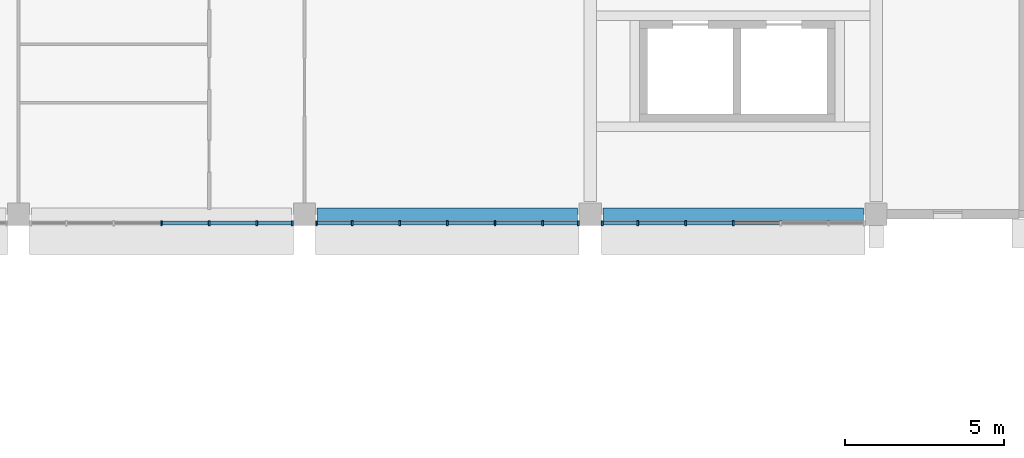
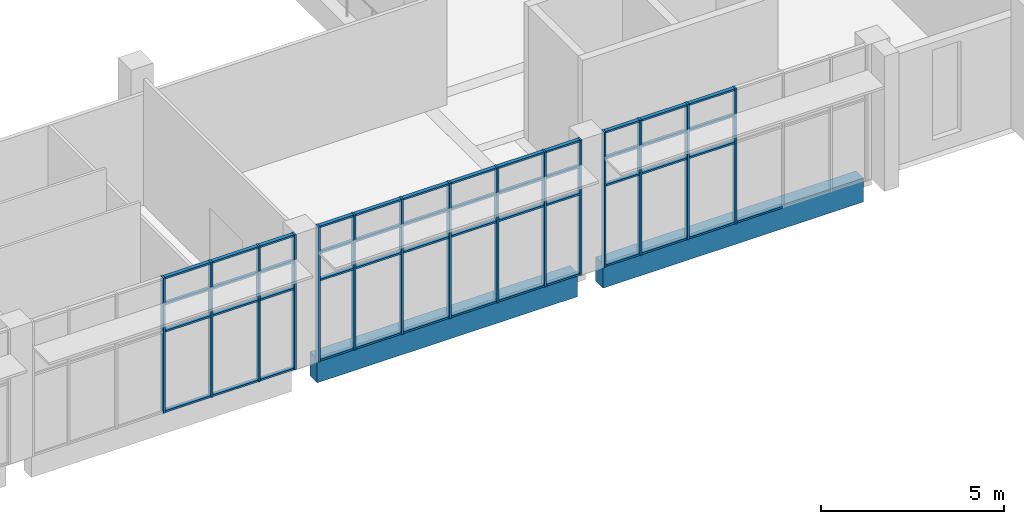
# One storey, part 5 of 45: 64 members, 2 beams, 3 elements without a shape of their own.
"""IFC4 building model written with IfcOpenShell, lengths in metres."""

from ifc_helpers import new_model, si_unit, direction, frame, origin, origin_2d, place, context, subcontext, project, spatial, rectangle, extrude, material, layer, layer_set, material_profile, profile_set, type_object, element, aggregate, save


model = new_model("IFC4")

# Units and contexts
model_context = context("Model", 3, precision=1e-05, world=origin(), true_north=direction((0.0, 1.0)))
body_context = subcontext(model_context, "Body", "Model", "MODEL_VIEW")
ifc_project = project(units=[si_unit("LENGTHUNIT", "METRE"), si_unit("AREAUNIT", "SQUARE_METRE"), si_unit("VOLUMEUNIT", "CUBIC_METRE"), si_unit("PLANEANGLEUNIT", "RADIAN"), si_unit("MASSUNIT", "GRAM", prefix="KILO")], contexts=[model_context])

# Site, building, storey
site_placement = place(None, origin())
site = spatial("IfcSite", under=ifc_project, at=site_placement, CompositionType="ELEMENT")
building_placement = place(site_placement, origin())
building = spatial("IfcBuilding", under=site, at=building_placement, Name="Guidao Yard Department Store", CompositionType="ELEMENT")
storey_placement = place(building_placement, frame((0.0, 0.0, 19.5)))
storey = spatial("IfcBuildingStorey", under=building, at=storey_placement, Name="L04", CompositionType="ELEMENT", Elevation=19.5)

# Curtain wall, members
ifc_material_1 = material(Name="Aluminium and glass", Category="aluminium")
ifc_layer = layer(ifc_material_1, 0.159912109375)
ifc_layer_set = layer_set([ifc_layer], Name="Hall front curtain wall CW2 1500 module")
curtain_wall_type = type_object("IfcCurtainWallType", Name="Hall front curtain wall CW2 1500 module", PredefinedType="NOTDEFINED", material=ifc_layer_set)
curtain_wall_1_placement = place(storey_placement, origin())
curtain_wall_1 = element("IfcCurtainWall", 1, at=curtain_wall_1_placement, inside=storey, type_object=curtain_wall_type, Name="Hall front curtain wall", PredefinedType="NOTDEFINED")
ifc_material_2 = material(Name="Aluminium 6063-T5", Category="aluminium")
ifc_material_profile_1 = material_profile(ifc_material_2, rectangle(XDim=0.06005859375, YDim=0.159912109375, at=origin_2d()), Name="Mullion M1 60 x 160 aluminium pressure plate")
ifc_profile_set_1 = profile_set([ifc_material_profile_1], Name="Aluminium 6063-T5")
member_type_1 = type_object("IfcMemberType", Name="Mullion M1 60 x 160 aluminium pressure plate", PredefinedType="MULLION", material=ifc_profile_set_1)
member_1_placement = place(storey_placement, frame((31.5, 44.719970703125, 0.0), z_axis=(0.0, 0.0, 1.0), x_axis=(-1.0, 0.0, 0.0)))
member_1 = element("IfcMember", 2, at=member_1_placement, type_object=member_type_1, Name="CW-HF-L04-03 mullion 4", PredefinedType="MULLION", context=body_context, shape_type="SweptSolid", body=[
    extrude(rectangle(XDim=0.06005859375, YDim=0.159912109375, at=origin_2d()), origin(), (0.0, 0.0, 1.0), 4.5),
])
member_2_placement = place(storey_placement, frame((33.0, 44.719970703125, 0.0), z_axis=(0.0, 0.0, 1.0), x_axis=(-1.0, 0.0, 0.0)))
member_2 = element("IfcMember", 3, at=member_2_placement, type_object=member_type_1, Name="CW-HF-L04-03 mullion 5", PredefinedType="MULLION", context=body_context, shape_type="SweptSolid", body=[
    extrude(rectangle(XDim=0.06005859375, YDim=0.159912109375, at=origin_2d()), origin(), (0.0, 0.0, 1.0), 4.5),
])
member_3_placement = place(storey_placement, frame((34.5, 44.719970703125, 0.0), z_axis=(0.0, 0.0, 1.0), x_axis=(-1.0, 0.0, 0.0)))
member_3 = element("IfcMember", 4, at=member_3_placement, type_object=member_type_1, Name="CW-HF-L04-03 mullion 6", PredefinedType="MULLION", context=body_context, shape_type="SweptSolid", body=[
    extrude(rectangle(XDim=0.06005859375, YDim=0.159912109375, at=origin_2d()), origin(), (0.0, 0.0, 1.0), 4.5),
])
member_4_placement = place(storey_placement, frame((35.6201171875, 44.719970703125, 0.0), z_axis=(0.0, 0.0, 1.0), x_axis=(-1.0, 0.0, 0.0)))
member_4 = element("IfcMember", 5, at=member_4_placement, type_object=member_type_1, Name="CW-HF-L04-03 mullion 7", PredefinedType="MULLION", context=body_context, shape_type="SweptSolid", body=[
    extrude(rectangle(XDim=0.06005859375, YDim=0.159912109375, at=origin_2d()), origin(), (0.0, 0.0, 1.0), 4.5),
])

curtain_wall_2_placement = place(storey_placement, origin())
curtain_wall_2 = element("IfcCurtainWall", 6, at=curtain_wall_2_placement, inside=storey, type_object=curtain_wall_type, Name="Hall front curtain wall", PredefinedType="NOTDEFINED")
member_5_placement = place(storey_placement, frame((36.3798828125, 44.719970703125, 0.0), z_axis=(0.0, 0.0, 1.0), x_axis=(-1.0, 0.0, 0.0)))
member_5 = element("IfcMember", 7, at=member_5_placement, type_object=member_type_1, Name="CW-HF-L04-04 mullion 1", PredefinedType="MULLION", context=body_context, shape_type="SweptSolid", body=[
    extrude(rectangle(XDim=0.06005859375, YDim=0.159912109375, at=origin_2d()), origin(), (0.0, 0.0, 1.0), 4.5),
])
member_6_placement = place(storey_placement, frame((37.5, 44.719970703125, 0.0), z_axis=(0.0, 0.0, 1.0), x_axis=(-1.0, 0.0, 0.0)))
member_6 = element("IfcMember", 8, at=member_6_placement, type_object=member_type_1, Name="CW-HF-L04-04 mullion 2", PredefinedType="MULLION", context=body_context, shape_type="SweptSolid", body=[
    extrude(rectangle(XDim=0.06005859375, YDim=0.159912109375, at=origin_2d()), origin(), (0.0, 0.0, 1.0), 4.5),
])
member_7_placement = place(storey_placement, frame((39.0, 44.719970703125, 0.0), z_axis=(0.0, 0.0, 1.0), x_axis=(-1.0, 0.0, 0.0)))
member_7 = element("IfcMember", 9, at=member_7_placement, type_object=member_type_1, Name="CW-HF-L04-04 mullion 3", PredefinedType="MULLION", context=body_context, shape_type="SweptSolid", body=[
    extrude(rectangle(XDim=0.06005859375, YDim=0.159912109375, at=origin_2d()), origin(), (0.0, 0.0, 1.0), 4.5),
])
member_8_placement = place(storey_placement, frame((40.5, 44.719970703125, 0.0), z_axis=(0.0, 0.0, 1.0), x_axis=(-1.0, 0.0, 0.0)))
member_8 = element("IfcMember", 10, at=member_8_placement, type_object=member_type_1, Name="CW-HF-L04-04 mullion 4", PredefinedType="MULLION", context=body_context, shape_type="SweptSolid", body=[
    extrude(rectangle(XDim=0.06005859375, YDim=0.159912109375, at=origin_2d()), origin(), (0.0, 0.0, 1.0), 4.5),
])
member_9_placement = place(storey_placement, frame((42.0, 44.719970703125, 0.0), z_axis=(0.0, 0.0, 1.0), x_axis=(-1.0, 0.0, 0.0)))
member_9 = element("IfcMember", 11, at=member_9_placement, type_object=member_type_1, Name="CW-HF-L04-04 mullion 5", PredefinedType="MULLION", context=body_context, shape_type="SweptSolid", body=[
    extrude(rectangle(XDim=0.06005859375, YDim=0.159912109375, at=origin_2d()), origin(), (0.0, 0.0, 1.0), 4.5),
])
member_10_placement = place(storey_placement, frame((43.5, 44.719970703125, 0.0), z_axis=(0.0, 0.0, 1.0), x_axis=(-1.0, 0.0, 0.0)))
member_10 = element("IfcMember", 12, at=member_10_placement, type_object=member_type_1, Name="CW-HF-L04-04 mullion 6", PredefinedType="MULLION", context=body_context, shape_type="SweptSolid", body=[
    extrude(rectangle(XDim=0.06005859375, YDim=0.159912109375, at=origin_2d()), origin(), (0.0, 0.0, 1.0), 4.5),
])
member_11_placement = place(storey_placement, frame((44.6201171875, 44.719970703125, 0.0), z_axis=(0.0, 0.0, 1.0), x_axis=(-1.0, 0.0, 0.0)))
member_11 = element("IfcMember", 13, at=member_11_placement, type_object=member_type_1, Name="CW-HF-L04-04 mullion 7", PredefinedType="MULLION", context=body_context, shape_type="SweptSolid", body=[
    extrude(rectangle(XDim=0.06005859375, YDim=0.159912109375, at=origin_2d()), origin(), (0.0, 0.0, 1.0), 4.5),
])

curtain_wall_3_placement = place(storey_placement, origin())
curtain_wall_3 = element("IfcCurtainWall", 14, at=curtain_wall_3_placement, inside=storey, type_object=curtain_wall_type, Name="Hall front curtain wall", PredefinedType="NOTDEFINED")
member_12_placement = place(storey_placement, frame((45.3798828125, 44.719970703125, 0.0), z_axis=(0.0, 0.0, 1.0), x_axis=(-1.0, 0.0, 0.0)))
member_12 = element("IfcMember", 15, at=member_12_placement, type_object=member_type_1, Name="CW-HF-L04-05 mullion 1", PredefinedType="MULLION", context=body_context, shape_type="SweptSolid", body=[
    extrude(rectangle(XDim=0.06005859375, YDim=0.159912109375, at=origin_2d()), origin(), (0.0, 0.0, 1.0), 4.5),
])
member_13_placement = place(storey_placement, frame((46.5, 44.719970703125, 0.0), z_axis=(0.0, 0.0, 1.0), x_axis=(-1.0, 0.0, 0.0)))
member_13 = element("IfcMember", 16, at=member_13_placement, type_object=member_type_1, Name="CW-HF-L04-05 mullion 2", PredefinedType="MULLION", context=body_context, shape_type="SweptSolid", body=[
    extrude(rectangle(XDim=0.06005859375, YDim=0.159912109375, at=origin_2d()), origin(), (0.0, 0.0, 1.0), 4.5),
])
member_14_placement = place(storey_placement, frame((48.0, 44.719970703125, 0.0), z_axis=(0.0, 0.0, 1.0), x_axis=(-1.0, 0.0, 0.0)))
member_14 = element("IfcMember", 17, at=member_14_placement, type_object=member_type_1, Name="CW-HF-L04-05 mullion 3", PredefinedType="MULLION", context=body_context, shape_type="SweptSolid", body=[
    extrude(rectangle(XDim=0.06005859375, YDim=0.159912109375, at=origin_2d()), origin(), (0.0, 0.0, 1.0), 4.5),
])
member_15_placement = place(storey_placement, frame((49.5, 44.719970703125, 0.0), z_axis=(0.0, 0.0, 1.0), x_axis=(-1.0, 0.0, 0.0)))
member_15 = element("IfcMember", 18, at=member_15_placement, type_object=member_type_1, Name="CW-HF-L04-05 mullion 4", PredefinedType="MULLION", context=body_context, shape_type="SweptSolid", body=[
    extrude(rectangle(XDim=0.06005859375, YDim=0.159912109375, at=origin_2d()), origin(), (0.0, 0.0, 1.0), 4.5),
])

# Beams
ifc_material_3 = material(Name="Concrete C40", Category="concrete")
ifc_material_profile_2 = material_profile(ifc_material_3, rectangle(XDim=0.39990234375, YDim=0.800048828125, at=origin_2d()), Name="Spandrel beam 400 x 800 C40")
ifc_profile_set_2 = profile_set([ifc_material_profile_2], Name="Concrete C40")
beam_type = type_object("IfcBeamType", Name="Spandrel beam 400 x 800 C40", PredefinedType="SPANDREL", material=ifc_profile_set_2)
for number, where, z_axis, x_axis, name in (
    (19, (36.39990234375, 45.0, -0.39990234375), (1.0, 0.0, 0.0), (0.0, 1.0, 0.0), "Beam EB04"),
    (20, (45.39990234375, 45.0, -0.39990234375), (1.0, 0.0, 0.0), (0.0, 1.0, 0.0), "Beam EB05"),
):
    element("IfcBeam", number, at=place(storey_placement, frame(where, z_axis=z_axis, x_axis=x_axis)), inside=storey, type_object=beam_type, Name=name, PredefinedType="SPANDREL", context=body_context, shape_type="SweptSolid", body=[
        extrude(rectangle(XDim=0.39990234375, YDim=0.800048828125, at=origin_2d()), origin(), (0.0, 0.0, 1.0), 8.2001953125),
    ])

# Member
ifc_material_4 = material(Name="Aluminium 6063-T5", Category="aluminium")
ifc_material_profile_3 = material_profile(ifc_material_4, rectangle(XDim=0.1201171875, YDim=0.06005859375, at=origin_2d()), Name="Transom T1 60 x 120 aluminium pressure plate")
ifc_profile_set_3 = profile_set([ifc_material_profile_3], Name="Aluminium 6063-T5")
member_type_2 = type_object("IfcMemberType", Name="Transom T1 60 x 120 aluminium pressure plate", PredefinedType="USERDEFINED", material=ifc_profile_set_3)
member_16_placement = place(storey_placement, frame((32.969970703125, 44.719970703125, 0.030029296875), z_axis=(-1.0, 0.0, 0.0), x_axis=(0.0, -1.0, 0.0)))
member_16 = element("IfcMember", 21, at=member_16_placement, type_object=member_type_2, Name="CW-HF-L04-03 transom 4.1", ObjectType="TRANSOM", PredefinedType="USERDEFINED", context=body_context, shape_type="SweptSolid", body=[
    extrude(rectangle(XDim=0.1201171875, YDim=0.06005859375, at=origin_2d()), origin(), (0.0, 0.0, 1.0), 1.43994140625),
])

member_17_placement = place(storey_placement, frame((32.969970703125, 44.719970703125, 2.699951171875), z_axis=(-1.0, 0.0, 0.0), x_axis=(0.0, -1.0, 0.0)))
member_17 = element("IfcMember", 22, at=member_17_placement, type_object=member_type_2, Name="CW-HF-L04-03 transom 4.2", ObjectType="TRANSOM", PredefinedType="USERDEFINED", context=body_context, shape_type="SweptSolid", body=[
    extrude(rectangle(XDim=0.1201171875, YDim=0.06005859375, at=origin_2d()), origin(), (0.0, 0.0, 1.0), 1.43994140625),
])

member_18_placement = place(storey_placement, frame((32.969970703125, 44.719970703125, 3.60009765625), z_axis=(-1.0, 0.0, 0.0), x_axis=(0.0, -1.0, 0.0)))
member_18 = element("IfcMember", 23, at=member_18_placement, type_object=member_type_2, Name="CW-HF-L04-03 transom 4.3", ObjectType="TRANSOM", PredefinedType="USERDEFINED", context=body_context, shape_type="SweptSolid", body=[
    extrude(rectangle(XDim=0.1201171875, YDim=0.06005859375, at=origin_2d()), origin(), (0.0, 0.0, 1.0), 1.43994140625),
])

member_19_placement = place(storey_placement, frame((32.969970703125, 44.719970703125, 4.469970703125), z_axis=(-1.0, 0.0, 0.0), x_axis=(0.0, -1.0, 0.0)))
member_19 = element("IfcMember", 24, at=member_19_placement, type_object=member_type_2, Name="CW-HF-L04-03 transom 4.4", ObjectType="TRANSOM", PredefinedType="USERDEFINED", context=body_context, shape_type="SweptSolid", body=[
    extrude(rectangle(XDim=0.1201171875, YDim=0.06005859375, at=origin_2d()), origin(), (0.0, 0.0, 1.0), 1.43994140625),
])

member_20_placement = place(storey_placement, frame((34.469970703125, 44.719970703125, 0.030029296875), z_axis=(-1.0, 0.0, 0.0), x_axis=(0.0, -1.0, 0.0)))
member_20 = element("IfcMember", 25, at=member_20_placement, type_object=member_type_2, Name="CW-HF-L04-03 transom 5.1", ObjectType="TRANSOM", PredefinedType="USERDEFINED", context=body_context, shape_type="SweptSolid", body=[
    extrude(rectangle(XDim=0.1201171875, YDim=0.06005859375, at=origin_2d()), origin(), (0.0, 0.0, 1.0), 1.43994140625),
])

member_21_placement = place(storey_placement, frame((34.469970703125, 44.719970703125, 2.699951171875), z_axis=(-1.0, 0.0, 0.0), x_axis=(0.0, -1.0, 0.0)))
member_21 = element("IfcMember", 26, at=member_21_placement, type_object=member_type_2, Name="CW-HF-L04-03 transom 5.2", ObjectType="TRANSOM", PredefinedType="USERDEFINED", context=body_context, shape_type="SweptSolid", body=[
    extrude(rectangle(XDim=0.1201171875, YDim=0.06005859375, at=origin_2d()), origin(), (0.0, 0.0, 1.0), 1.43994140625),
])

member_22_placement = place(storey_placement, frame((34.469970703125, 44.719970703125, 3.60009765625), z_axis=(-1.0, 0.0, 0.0), x_axis=(0.0, -1.0, 0.0)))
member_22 = element("IfcMember", 27, at=member_22_placement, type_object=member_type_2, Name="CW-HF-L04-03 transom 5.3", ObjectType="TRANSOM", PredefinedType="USERDEFINED", context=body_context, shape_type="SweptSolid", body=[
    extrude(rectangle(XDim=0.1201171875, YDim=0.06005859375, at=origin_2d()), origin(), (0.0, 0.0, 1.0), 1.43994140625),
])

member_23_placement = place(storey_placement, frame((34.469970703125, 44.719970703125, 4.469970703125), z_axis=(-1.0, 0.0, 0.0), x_axis=(0.0, -1.0, 0.0)))
member_23 = element("IfcMember", 28, at=member_23_placement, type_object=member_type_2, Name="CW-HF-L04-03 transom 5.4", ObjectType="TRANSOM", PredefinedType="USERDEFINED", context=body_context, shape_type="SweptSolid", body=[
    extrude(rectangle(XDim=0.1201171875, YDim=0.06005859375, at=origin_2d()), origin(), (0.0, 0.0, 1.0), 1.43994140625),
])

member_24_placement = place(storey_placement, frame((35.590087890625, 44.719970703125, 0.030029296875), z_axis=(-1.0, 0.0, 0.0), x_axis=(0.0, -1.0, 0.0)))
member_24 = element("IfcMember", 29, at=member_24_placement, type_object=member_type_2, Name="CW-HF-L04-03 transom 6.1", ObjectType="TRANSOM", PredefinedType="USERDEFINED", context=body_context, shape_type="SweptSolid", body=[
    extrude(rectangle(XDim=0.1201171875, YDim=0.06005859375, at=origin_2d()), origin(), (0.0, 0.0, 1.0), 1.06005859375),
])

member_25_placement = place(storey_placement, frame((35.590087890625, 44.719970703125, 2.699951171875), z_axis=(-1.0, 0.0, 0.0), x_axis=(0.0, -1.0, 0.0)))
member_25 = element("IfcMember", 30, at=member_25_placement, type_object=member_type_2, Name="CW-HF-L04-03 transom 6.2", ObjectType="TRANSOM", PredefinedType="USERDEFINED", context=body_context, shape_type="SweptSolid", body=[
    extrude(rectangle(XDim=0.1201171875, YDim=0.06005859375, at=origin_2d()), origin(), (0.0, 0.0, 1.0), 1.06005859375),
])

member_26_placement = place(storey_placement, frame((35.590087890625, 44.719970703125, 3.60009765625), z_axis=(-1.0, 0.0, 0.0), x_axis=(0.0, -1.0, 0.0)))
member_26 = element("IfcMember", 31, at=member_26_placement, type_object=member_type_2, Name="CW-HF-L04-03 transom 6.3", ObjectType="TRANSOM", PredefinedType="USERDEFINED", context=body_context, shape_type="SweptSolid", body=[
    extrude(rectangle(XDim=0.1201171875, YDim=0.06005859375, at=origin_2d()), origin(), (0.0, 0.0, 1.0), 1.06005859375),
])

member_27_placement = place(storey_placement, frame((35.590087890625, 44.719970703125, 4.469970703125), z_axis=(-1.0, 0.0, 0.0), x_axis=(0.0, -1.0, 0.0)))
member_27 = element("IfcMember", 32, at=member_27_placement, type_object=member_type_2, Name="CW-HF-L04-03 transom 6.4", ObjectType="TRANSOM", PredefinedType="USERDEFINED", context=body_context, shape_type="SweptSolid", body=[
    extrude(rectangle(XDim=0.1201171875, YDim=0.06005859375, at=origin_2d()), origin(), (0.0, 0.0, 1.0), 1.06005859375),
])

aggregate(curtain_wall_1, [member_1, member_2, member_3, member_4, member_16, member_17, member_18, member_19, member_20, member_21, member_22, member_23, member_24, member_25, member_26, member_27])

member_28_placement = place(storey_placement, frame((37.469970703125, 44.719970703125, 0.030029296875), z_axis=(-1.0, 0.0, 0.0), x_axis=(0.0, -1.0, 0.0)))
member_28 = element("IfcMember", 33, at=member_28_placement, type_object=member_type_2, Name="CW-HF-L04-04 transom 1.1", ObjectType="TRANSOM", PredefinedType="USERDEFINED", context=body_context, shape_type="SweptSolid", body=[
    extrude(rectangle(XDim=0.1201171875, YDim=0.06005859375, at=origin_2d()), origin(), (0.0, 0.0, 1.0), 1.06005859375),
])

member_29_placement = place(storey_placement, frame((37.469970703125, 44.719970703125, 2.699951171875), z_axis=(-1.0, 0.0, 0.0), x_axis=(0.0, -1.0, 0.0)))
member_29 = element("IfcMember", 34, at=member_29_placement, type_object=member_type_2, Name="CW-HF-L04-04 transom 1.2", ObjectType="TRANSOM", PredefinedType="USERDEFINED", context=body_context, shape_type="SweptSolid", body=[
    extrude(rectangle(XDim=0.1201171875, YDim=0.06005859375, at=origin_2d()), origin(), (0.0, 0.0, 1.0), 1.06005859375),
])

member_30_placement = place(storey_placement, frame((37.469970703125, 44.719970703125, 3.60009765625), z_axis=(-1.0, 0.0, 0.0), x_axis=(0.0, -1.0, 0.0)))
member_30 = element("IfcMember", 35, at=member_30_placement, type_object=member_type_2, Name="CW-HF-L04-04 transom 1.3", ObjectType="TRANSOM", PredefinedType="USERDEFINED", context=body_context, shape_type="SweptSolid", body=[
    extrude(rectangle(XDim=0.1201171875, YDim=0.06005859375, at=origin_2d()), origin(), (0.0, 0.0, 1.0), 1.06005859375),
])

member_31_placement = place(storey_placement, frame((37.469970703125, 44.719970703125, 4.469970703125), z_axis=(-1.0, 0.0, 0.0), x_axis=(0.0, -1.0, 0.0)))
member_31 = element("IfcMember", 36, at=member_31_placement, type_object=member_type_2, Name="CW-HF-L04-04 transom 1.4", ObjectType="TRANSOM", PredefinedType="USERDEFINED", context=body_context, shape_type="SweptSolid", body=[
    extrude(rectangle(XDim=0.1201171875, YDim=0.06005859375, at=origin_2d()), origin(), (0.0, 0.0, 1.0), 1.06005859375),
])

member_32_placement = place(storey_placement, frame((38.969970703125, 44.719970703125, 0.030029296875), z_axis=(-1.0, 0.0, 0.0), x_axis=(0.0, -1.0, 0.0)))
member_32 = element("IfcMember", 37, at=member_32_placement, type_object=member_type_2, Name="CW-HF-L04-04 transom 2.1", ObjectType="TRANSOM", PredefinedType="USERDEFINED", context=body_context, shape_type="SweptSolid", body=[
    extrude(rectangle(XDim=0.1201171875, YDim=0.06005859375, at=origin_2d()), origin(), (0.0, 0.0, 1.0), 1.43994140625),
])

member_33_placement = place(storey_placement, frame((38.969970703125, 44.719970703125, 2.699951171875), z_axis=(-1.0, 0.0, 0.0), x_axis=(0.0, -1.0, 0.0)))
member_33 = element("IfcMember", 38, at=member_33_placement, type_object=member_type_2, Name="CW-HF-L04-04 transom 2.2", ObjectType="TRANSOM", PredefinedType="USERDEFINED", context=body_context, shape_type="SweptSolid", body=[
    extrude(rectangle(XDim=0.1201171875, YDim=0.06005859375, at=origin_2d()), origin(), (0.0, 0.0, 1.0), 1.43994140625),
])

member_34_placement = place(storey_placement, frame((38.969970703125, 44.719970703125, 3.60009765625), z_axis=(-1.0, 0.0, 0.0), x_axis=(0.0, -1.0, 0.0)))
member_34 = element("IfcMember", 39, at=member_34_placement, type_object=member_type_2, Name="CW-HF-L04-04 transom 2.3", ObjectType="TRANSOM", PredefinedType="USERDEFINED", context=body_context, shape_type="SweptSolid", body=[
    extrude(rectangle(XDim=0.1201171875, YDim=0.06005859375, at=origin_2d()), origin(), (0.0, 0.0, 1.0), 1.43994140625),
])

member_35_placement = place(storey_placement, frame((38.969970703125, 44.719970703125, 4.469970703125), z_axis=(-1.0, 0.0, 0.0), x_axis=(0.0, -1.0, 0.0)))
member_35 = element("IfcMember", 40, at=member_35_placement, type_object=member_type_2, Name="CW-HF-L04-04 transom 2.4", ObjectType="TRANSOM", PredefinedType="USERDEFINED", context=body_context, shape_type="SweptSolid", body=[
    extrude(rectangle(XDim=0.1201171875, YDim=0.06005859375, at=origin_2d()), origin(), (0.0, 0.0, 1.0), 1.43994140625),
])

member_36_placement = place(storey_placement, frame((40.469970703125, 44.719970703125, 0.030029296875), z_axis=(-1.0, 0.0, 0.0), x_axis=(0.0, -1.0, 0.0)))
member_36 = element("IfcMember", 41, at=member_36_placement, type_object=member_type_2, Name="CW-HF-L04-04 transom 3.1", ObjectType="TRANSOM", PredefinedType="USERDEFINED", context=body_context, shape_type="SweptSolid", body=[
    extrude(rectangle(XDim=0.1201171875, YDim=0.06005859375, at=origin_2d()), origin(), (0.0, 0.0, 1.0), 1.43994140625),
])

member_37_placement = place(storey_placement, frame((40.469970703125, 44.719970703125, 2.699951171875), z_axis=(-1.0, 0.0, 0.0), x_axis=(0.0, -1.0, 0.0)))
member_37 = element("IfcMember", 42, at=member_37_placement, type_object=member_type_2, Name="CW-HF-L04-04 transom 3.2", ObjectType="TRANSOM", PredefinedType="USERDEFINED", context=body_context, shape_type="SweptSolid", body=[
    extrude(rectangle(XDim=0.1201171875, YDim=0.06005859375, at=origin_2d()), origin(), (0.0, 0.0, 1.0), 1.43994140625),
])

member_38_placement = place(storey_placement, frame((40.469970703125, 44.719970703125, 3.60009765625), z_axis=(-1.0, 0.0, 0.0), x_axis=(0.0, -1.0, 0.0)))
member_38 = element("IfcMember", 43, at=member_38_placement, type_object=member_type_2, Name="CW-HF-L04-04 transom 3.3", ObjectType="TRANSOM", PredefinedType="USERDEFINED", context=body_context, shape_type="SweptSolid", body=[
    extrude(rectangle(XDim=0.1201171875, YDim=0.06005859375, at=origin_2d()), origin(), (0.0, 0.0, 1.0), 1.43994140625),
])

member_39_placement = place(storey_placement, frame((40.469970703125, 44.719970703125, 4.469970703125), z_axis=(-1.0, 0.0, 0.0), x_axis=(0.0, -1.0, 0.0)))
member_39 = element("IfcMember", 44, at=member_39_placement, type_object=member_type_2, Name="CW-HF-L04-04 transom 3.4", ObjectType="TRANSOM", PredefinedType="USERDEFINED", context=body_context, shape_type="SweptSolid", body=[
    extrude(rectangle(XDim=0.1201171875, YDim=0.06005859375, at=origin_2d()), origin(), (0.0, 0.0, 1.0), 1.43994140625),
])

member_40_placement = place(storey_placement, frame((41.969970703125, 44.719970703125, 0.030029296875), z_axis=(-1.0, 0.0, 0.0), x_axis=(0.0, -1.0, 0.0)))
member_40 = element("IfcMember", 45, at=member_40_placement, type_object=member_type_2, Name="CW-HF-L04-04 transom 4.1", ObjectType="TRANSOM", PredefinedType="USERDEFINED", context=body_context, shape_type="SweptSolid", body=[
    extrude(rectangle(XDim=0.1201171875, YDim=0.06005859375, at=origin_2d()), origin(), (0.0, 0.0, 1.0), 1.43994140625),
])

member_41_placement = place(storey_placement, frame((41.969970703125, 44.719970703125, 2.699951171875), z_axis=(-1.0, 0.0, 0.0), x_axis=(0.0, -1.0, 0.0)))
member_41 = element("IfcMember", 46, at=member_41_placement, type_object=member_type_2, Name="CW-HF-L04-04 transom 4.2", ObjectType="TRANSOM", PredefinedType="USERDEFINED", context=body_context, shape_type="SweptSolid", body=[
    extrude(rectangle(XDim=0.1201171875, YDim=0.06005859375, at=origin_2d()), origin(), (0.0, 0.0, 1.0), 1.43994140625),
])

member_42_placement = place(storey_placement, frame((41.969970703125, 44.719970703125, 3.60009765625), z_axis=(-1.0, 0.0, 0.0), x_axis=(0.0, -1.0, 0.0)))
member_42 = element("IfcMember", 47, at=member_42_placement, type_object=member_type_2, Name="CW-HF-L04-04 transom 4.3", ObjectType="TRANSOM", PredefinedType="USERDEFINED", context=body_context, shape_type="SweptSolid", body=[
    extrude(rectangle(XDim=0.1201171875, YDim=0.06005859375, at=origin_2d()), origin(), (0.0, 0.0, 1.0), 1.43994140625),
])

member_43_placement = place(storey_placement, frame((41.969970703125, 44.719970703125, 4.469970703125), z_axis=(-1.0, 0.0, 0.0), x_axis=(0.0, -1.0, 0.0)))
member_43 = element("IfcMember", 48, at=member_43_placement, type_object=member_type_2, Name="CW-HF-L04-04 transom 4.4", ObjectType="TRANSOM", PredefinedType="USERDEFINED", context=body_context, shape_type="SweptSolid", body=[
    extrude(rectangle(XDim=0.1201171875, YDim=0.06005859375, at=origin_2d()), origin(), (0.0, 0.0, 1.0), 1.43994140625),
])

member_44_placement = place(storey_placement, frame((43.469970703125, 44.719970703125, 0.030029296875), z_axis=(-1.0, 0.0, 0.0), x_axis=(0.0, -1.0, 0.0)))
member_44 = element("IfcMember", 49, at=member_44_placement, type_object=member_type_2, Name="CW-HF-L04-04 transom 5.1", ObjectType="TRANSOM", PredefinedType="USERDEFINED", context=body_context, shape_type="SweptSolid", body=[
    extrude(rectangle(XDim=0.1201171875, YDim=0.06005859375, at=origin_2d()), origin(), (0.0, 0.0, 1.0), 1.43994140625),
])

member_45_placement = place(storey_placement, frame((43.469970703125, 44.719970703125, 2.699951171875), z_axis=(-1.0, 0.0, 0.0), x_axis=(0.0, -1.0, 0.0)))
member_45 = element("IfcMember", 50, at=member_45_placement, type_object=member_type_2, Name="CW-HF-L04-04 transom 5.2", ObjectType="TRANSOM", PredefinedType="USERDEFINED", context=body_context, shape_type="SweptSolid", body=[
    extrude(rectangle(XDim=0.1201171875, YDim=0.06005859375, at=origin_2d()), origin(), (0.0, 0.0, 1.0), 1.43994140625),
])

member_46_placement = place(storey_placement, frame((43.469970703125, 44.719970703125, 3.60009765625), z_axis=(-1.0, 0.0, 0.0), x_axis=(0.0, -1.0, 0.0)))
member_46 = element("IfcMember", 51, at=member_46_placement, type_object=member_type_2, Name="CW-HF-L04-04 transom 5.3", ObjectType="TRANSOM", PredefinedType="USERDEFINED", context=body_context, shape_type="SweptSolid", body=[
    extrude(rectangle(XDim=0.1201171875, YDim=0.06005859375, at=origin_2d()), origin(), (0.0, 0.0, 1.0), 1.43994140625),
])

member_47_placement = place(storey_placement, frame((43.469970703125, 44.719970703125, 4.469970703125), z_axis=(-1.0, 0.0, 0.0), x_axis=(0.0, -1.0, 0.0)))
member_47 = element("IfcMember", 52, at=member_47_placement, type_object=member_type_2, Name="CW-HF-L04-04 transom 5.4", ObjectType="TRANSOM", PredefinedType="USERDEFINED", context=body_context, shape_type="SweptSolid", body=[
    extrude(rectangle(XDim=0.1201171875, YDim=0.06005859375, at=origin_2d()), origin(), (0.0, 0.0, 1.0), 1.43994140625),
])

member_48_placement = place(storey_placement, frame((44.590087890625, 44.719970703125, 0.030029296875), z_axis=(-1.0, 0.0, 0.0), x_axis=(0.0, -1.0, 0.0)))
member_48 = element("IfcMember", 53, at=member_48_placement, type_object=member_type_2, Name="CW-HF-L04-04 transom 6.1", ObjectType="TRANSOM", PredefinedType="USERDEFINED", context=body_context, shape_type="SweptSolid", body=[
    extrude(rectangle(XDim=0.1201171875, YDim=0.06005859375, at=origin_2d()), origin(), (0.0, 0.0, 1.0), 1.06005859375),
])

member_49_placement = place(storey_placement, frame((44.590087890625, 44.719970703125, 2.699951171875), z_axis=(-1.0, 0.0, 0.0), x_axis=(0.0, -1.0, 0.0)))
member_49 = element("IfcMember", 54, at=member_49_placement, type_object=member_type_2, Name="CW-HF-L04-04 transom 6.2", ObjectType="TRANSOM", PredefinedType="USERDEFINED", context=body_context, shape_type="SweptSolid", body=[
    extrude(rectangle(XDim=0.1201171875, YDim=0.06005859375, at=origin_2d()), origin(), (0.0, 0.0, 1.0), 1.06005859375),
])

member_50_placement = place(storey_placement, frame((44.590087890625, 44.719970703125, 3.60009765625), z_axis=(-1.0, 0.0, 0.0), x_axis=(0.0, -1.0, 0.0)))
member_50 = element("IfcMember", 55, at=member_50_placement, type_object=member_type_2, Name="CW-HF-L04-04 transom 6.3", ObjectType="TRANSOM", PredefinedType="USERDEFINED", context=body_context, shape_type="SweptSolid", body=[
    extrude(rectangle(XDim=0.1201171875, YDim=0.06005859375, at=origin_2d()), origin(), (0.0, 0.0, 1.0), 1.06005859375),
])

member_51_placement = place(storey_placement, frame((44.590087890625, 44.719970703125, 4.469970703125), z_axis=(-1.0, 0.0, 0.0), x_axis=(0.0, -1.0, 0.0)))
member_51 = element("IfcMember", 56, at=member_51_placement, type_object=member_type_2, Name="CW-HF-L04-04 transom 6.4", ObjectType="TRANSOM", PredefinedType="USERDEFINED", context=body_context, shape_type="SweptSolid", body=[
    extrude(rectangle(XDim=0.1201171875, YDim=0.06005859375, at=origin_2d()), origin(), (0.0, 0.0, 1.0), 1.06005859375),
])

aggregate(curtain_wall_2, [member_5, member_6, member_7, member_8, member_9, member_10, member_11, member_28, member_29, member_30, member_31, member_32, member_33, member_34, member_35, member_36, member_37, member_38, member_39, member_40, member_41, member_42, member_43, member_44, member_45, member_46, member_47, member_48, member_49, member_50, member_51])

member_52_placement = place(storey_placement, frame((46.469970703125, 44.719970703125, 0.030029296875), z_axis=(-1.0, 0.0, 0.0), x_axis=(0.0, -1.0, 0.0)))
member_52 = element("IfcMember", 57, at=member_52_placement, type_object=member_type_2, Name="CW-HF-L04-05 transom 1.1", ObjectType="TRANSOM", PredefinedType="USERDEFINED", context=body_context, shape_type="SweptSolid", body=[
    extrude(rectangle(XDim=0.1201171875, YDim=0.06005859375, at=origin_2d()), origin(), (0.0, 0.0, 1.0), 1.06005859375),
])

member_53_placement = place(storey_placement, frame((46.469970703125, 44.719970703125, 2.699951171875), z_axis=(-1.0, 0.0, 0.0), x_axis=(0.0, -1.0, 0.0)))
member_53 = element("IfcMember", 58, at=member_53_placement, type_object=member_type_2, Name="CW-HF-L04-05 transom 1.2", ObjectType="TRANSOM", PredefinedType="USERDEFINED", context=body_context, shape_type="SweptSolid", body=[
    extrude(rectangle(XDim=0.1201171875, YDim=0.06005859375, at=origin_2d()), origin(), (0.0, 0.0, 1.0), 1.06005859375),
])

member_54_placement = place(storey_placement, frame((46.469970703125, 44.719970703125, 3.60009765625), z_axis=(-1.0, 0.0, 0.0), x_axis=(0.0, -1.0, 0.0)))
member_54 = element("IfcMember", 59, at=member_54_placement, type_object=member_type_2, Name="CW-HF-L04-05 transom 1.3", ObjectType="TRANSOM", PredefinedType="USERDEFINED", context=body_context, shape_type="SweptSolid", body=[
    extrude(rectangle(XDim=0.1201171875, YDim=0.06005859375, at=origin_2d()), origin(), (0.0, 0.0, 1.0), 1.06005859375),
])

member_55_placement = place(storey_placement, frame((46.469970703125, 44.719970703125, 4.469970703125), z_axis=(-1.0, 0.0, 0.0), x_axis=(0.0, -1.0, 0.0)))
member_55 = element("IfcMember", 60, at=member_55_placement, type_object=member_type_2, Name="CW-HF-L04-05 transom 1.4", ObjectType="TRANSOM", PredefinedType="USERDEFINED", context=body_context, shape_type="SweptSolid", body=[
    extrude(rectangle(XDim=0.1201171875, YDim=0.06005859375, at=origin_2d()), origin(), (0.0, 0.0, 1.0), 1.06005859375),
])

member_56_placement = place(storey_placement, frame((47.969970703125, 44.719970703125, 0.030029296875), z_axis=(-1.0, 0.0, 0.0), x_axis=(0.0, -1.0, 0.0)))
member_56 = element("IfcMember", 61, at=member_56_placement, type_object=member_type_2, Name="CW-HF-L04-05 transom 2.1", ObjectType="TRANSOM", PredefinedType="USERDEFINED", context=body_context, shape_type="SweptSolid", body=[
    extrude(rectangle(XDim=0.1201171875, YDim=0.06005859375, at=origin_2d()), origin(), (0.0, 0.0, 1.0), 1.43994140625),
])

member_57_placement = place(storey_placement, frame((47.969970703125, 44.719970703125, 2.699951171875), z_axis=(-1.0, 0.0, 0.0), x_axis=(0.0, -1.0, 0.0)))
member_57 = element("IfcMember", 62, at=member_57_placement, type_object=member_type_2, Name="CW-HF-L04-05 transom 2.2", ObjectType="TRANSOM", PredefinedType="USERDEFINED", context=body_context, shape_type="SweptSolid", body=[
    extrude(rectangle(XDim=0.1201171875, YDim=0.06005859375, at=origin_2d()), origin(), (0.0, 0.0, 1.0), 1.43994140625),
])

member_58_placement = place(storey_placement, frame((47.969970703125, 44.719970703125, 3.60009765625), z_axis=(-1.0, 0.0, 0.0), x_axis=(0.0, -1.0, 0.0)))
member_58 = element("IfcMember", 63, at=member_58_placement, type_object=member_type_2, Name="CW-HF-L04-05 transom 2.3", ObjectType="TRANSOM", PredefinedType="USERDEFINED", context=body_context, shape_type="SweptSolid", body=[
    extrude(rectangle(XDim=0.1201171875, YDim=0.06005859375, at=origin_2d()), origin(), (0.0, 0.0, 1.0), 1.43994140625),
])

member_59_placement = place(storey_placement, frame((47.969970703125, 44.719970703125, 4.469970703125), z_axis=(-1.0, 0.0, 0.0), x_axis=(0.0, -1.0, 0.0)))
member_59 = element("IfcMember", 64, at=member_59_placement, type_object=member_type_2, Name="CW-HF-L04-05 transom 2.4", ObjectType="TRANSOM", PredefinedType="USERDEFINED", context=body_context, shape_type="SweptSolid", body=[
    extrude(rectangle(XDim=0.1201171875, YDim=0.06005859375, at=origin_2d()), origin(), (0.0, 0.0, 1.0), 1.43994140625),
])

member_60_placement = place(storey_placement, frame((49.469970703125, 44.719970703125, 0.030029296875), z_axis=(-1.0, 0.0, 0.0), x_axis=(0.0, -1.0, 0.0)))
member_60 = element("IfcMember", 65, at=member_60_placement, type_object=member_type_2, Name="CW-HF-L04-05 transom 3.1", ObjectType="TRANSOM", PredefinedType="USERDEFINED", context=body_context, shape_type="SweptSolid", body=[
    extrude(rectangle(XDim=0.1201171875, YDim=0.06005859375, at=origin_2d()), origin(), (0.0, 0.0, 1.0), 1.43994140625),
])

member_61_placement = place(storey_placement, frame((49.469970703125, 44.719970703125, 2.699951171875), z_axis=(-1.0, 0.0, 0.0), x_axis=(0.0, -1.0, 0.0)))
member_61 = element("IfcMember", 66, at=member_61_placement, type_object=member_type_2, Name="CW-HF-L04-05 transom 3.2", ObjectType="TRANSOM", PredefinedType="USERDEFINED", context=body_context, shape_type="SweptSolid", body=[
    extrude(rectangle(XDim=0.1201171875, YDim=0.06005859375, at=origin_2d()), origin(), (0.0, 0.0, 1.0), 1.43994140625),
])

member_62_placement = place(storey_placement, frame((49.469970703125, 44.719970703125, 3.60009765625), z_axis=(-1.0, 0.0, 0.0), x_axis=(0.0, -1.0, 0.0)))
member_62 = element("IfcMember", 67, at=member_62_placement, type_object=member_type_2, Name="CW-HF-L04-05 transom 3.3", ObjectType="TRANSOM", PredefinedType="USERDEFINED", context=body_context, shape_type="SweptSolid", body=[
    extrude(rectangle(XDim=0.1201171875, YDim=0.06005859375, at=origin_2d()), origin(), (0.0, 0.0, 1.0), 1.43994140625),
])

member_63_placement = place(storey_placement, frame((49.469970703125, 44.719970703125, 4.469970703125), z_axis=(-1.0, 0.0, 0.0), x_axis=(0.0, -1.0, 0.0)))
member_63 = element("IfcMember", 68, at=member_63_placement, type_object=member_type_2, Name="CW-HF-L04-05 transom 3.4", ObjectType="TRANSOM", PredefinedType="USERDEFINED", context=body_context, shape_type="SweptSolid", body=[
    extrude(rectangle(XDim=0.1201171875, YDim=0.06005859375, at=origin_2d()), origin(), (0.0, 0.0, 1.0), 1.43994140625),
])

member_64_placement = place(storey_placement, frame((50.969970703125, 44.719970703125, 0.030029296875), z_axis=(-1.0, 0.0, 0.0), x_axis=(0.0, -1.0, 0.0)))
member_64 = element("IfcMember", 69, at=member_64_placement, type_object=member_type_2, Name="CW-HF-L04-05 transom 4.1", ObjectType="TRANSOM", PredefinedType="USERDEFINED", context=body_context, shape_type="SweptSolid", body=[
    extrude(rectangle(XDim=0.1201171875, YDim=0.06005859375, at=origin_2d()), origin(), (0.0, 0.0, 1.0), 1.43994140625),
])

aggregate(curtain_wall_3, [member_12, member_13, member_14, member_15, member_52, member_53, member_54, member_55, member_56, member_57, member_58, member_59, member_60, member_61, member_62, member_63, member_64])

save(model, "model.ifc")
